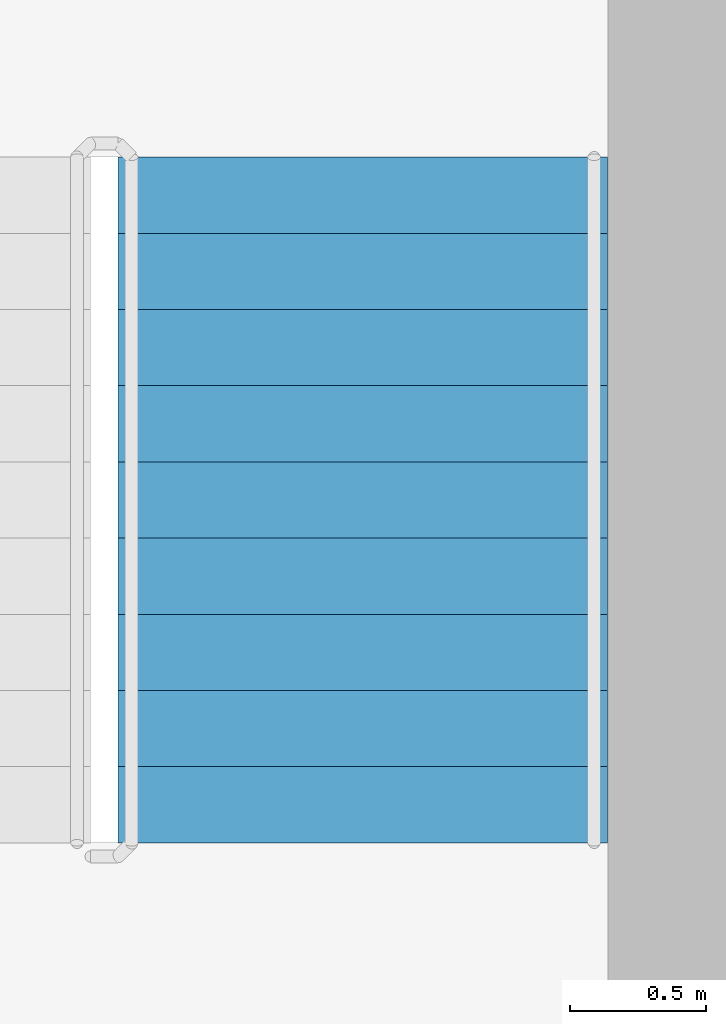
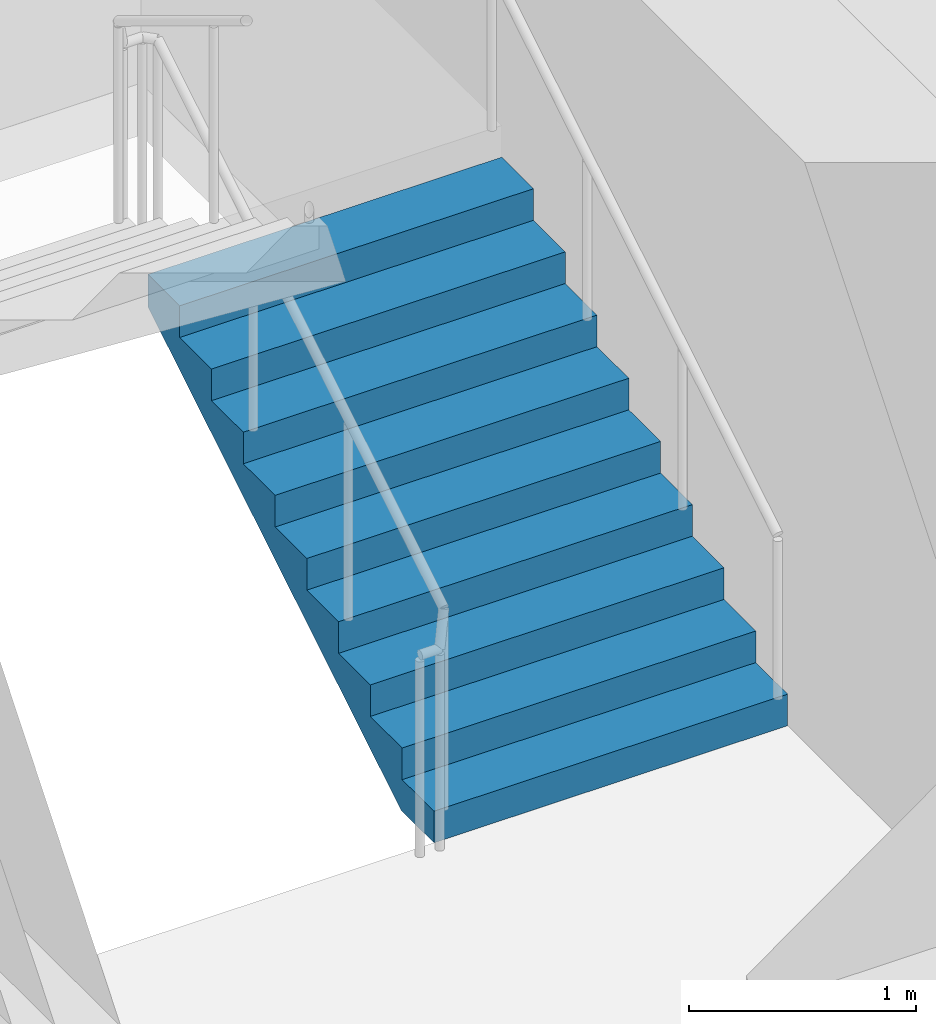
# One storey, part 12 of 21: 1 stair flight, 1 element without a shape of its own.
"""IFC4 building model written with IfcOpenShell, lengths in metres."""

from ifc_helpers import new_model, si_unit, direction, frame, origin, place, context, subcontext, project, spatial, triangles, source, transform, mapped, material, type_object, element, aggregate, save


model = new_model("IFC4")

# Units and contexts
model_context = context("Model", 3, precision=1e-05, world=origin(), true_north=direction((0.0, 1.0)))
body_context = subcontext(model_context, "Body", "Model", "MODEL_VIEW")
ifc_project = project(units=[si_unit("LENGTHUNIT", "METRE"), si_unit("AREAUNIT", "SQUARE_METRE"), si_unit("VOLUMEUNIT", "CUBIC_METRE"), si_unit("PLANEANGLEUNIT", "RADIAN"), si_unit("MASSUNIT", "GRAM", prefix="KILO")], contexts=[model_context])

# Site, building, storey
site_placement = place(None, origin())
site = spatial("IfcSite", under=ifc_project, at=site_placement, CompositionType="ELEMENT")
building_placement = place(site_placement, origin())
building = spatial("IfcBuilding", under=site, at=building_placement, Name="Kilnfold Tower and Market Hall", CompositionType="ELEMENT")
storey_placement = place(building_placement, frame((0.0, 0.0, 210.10009765625)))
storey = spatial("IfcBuildingStorey", under=building, at=storey_placement, Name="L51", CompositionType="ELEMENT", Elevation=210.10009765625)

# Stair, stair flight
ifc_material_1 = material(Name="Concrete C40/50", Category="concrete")
stair_type = type_object("IfcStairType", Name="CORE STAIR 1800", PredefinedType="HALF_TURN_STAIR", material=ifc_material_1)
stair_placement = place(storey_placement, origin())
stair = element("IfcStair", 1, at=stair_placement, inside=storey, type_object=stair_type, Name="L51 ST2", PredefinedType="HALF_TURN_STAIR")
ifc_material_2 = material(Name="Concrete C40/50", Category="concrete")
stair_flight_type = type_object("IfcStairFlightType", Name="CORE STAIR FLIGHT 1800", PredefinedType="STRAIGHT", material=ifc_material_2)
shared_shape = source(origin(), body_context, "Body", "Tessellation", [
    triangles([(0.0, 0.89990234375, 0.0), (0.0, 0.78759765625, 0.0), (0.0, 0.675048828125, 0.0), (0.0, 0.5625, 0.0), (0.0, 0.449951171875, 0.0), (0.0, 0.33740234375, 0.0), (0.0, 0.22509765625, 0.0), (0.0, 0.112548828125, 0.0), (0.0, 0.0, 0.0), (0.0, -0.112548828125, 0.0), (0.0, -0.22509765625, 0.0), (0.0, -0.33740234375, 0.0), (0.0, -0.449951171875, 0.0), (0.0, -0.5625, 0.0), (0.0, -0.675048828125, 0.0), (0.0, -0.78759765625, 0.0), (0.0, -0.89990234375, 0.0), (0.0, 0.89990234375, 0.169921875), (0.0, 0.78759765625, 0.169921875), (0.0, 0.675048828125, 0.169921875), (0.0, 0.5625, 0.169921875), (0.0, 0.449951171875, 0.169921875), (0.0, 0.33740234375, 0.169921875), (0.0, 0.22509765625, 0.169921875), (0.0, 0.112548828125, 0.169921875), (0.0, 0.0, 0.169921875), (0.0, -0.112548828125, 0.169921875), (0.0, -0.22509765625, 0.169921875), (0.0, -0.33740234375, 0.169921875), (0.0, -0.449951171875, 0.169921875), (0.0, -0.5625, 0.169921875), (0.0, -0.675048828125, 0.169921875), (0.0, -0.78759765625, 0.169921875), (0.0, -0.89990234375, 0.169921875), (0.280029296875, 0.89990234375, 0.169921875), (0.280029296875, 0.78759765625, 0.169921875), (0.280029296875, 0.675048828125, 0.169921875), (0.280029296875, 0.5625, 0.169921875), (0.280029296875, 0.449951171875, 0.169921875), (0.280029296875, 0.33740234375, 0.169921875), (0.280029296875, 0.22509765625, 0.169921875), (0.280029296875, 0.112548828125, 0.169921875), (0.280029296875, 0.0, 0.169921875), (0.280029296875, -0.112548828125, 0.169921875), (0.280029296875, -0.22509765625, 0.169921875), (0.280029296875, -0.33740234375, 0.169921875), (0.280029296875, -0.449951171875, 0.169921875), (0.280029296875, -0.5625, 0.169921875), (0.280029296875, -0.675048828125, 0.169921875), (0.280029296875, -0.78759765625, 0.169921875), (0.280029296875, -0.89990234375, 0.169921875), (0.280029296875, 0.89990234375, 0.340087890625), (0.280029296875, 0.78759765625, 0.340087890625), (0.280029296875, 0.675048828125, 0.340087890625), (0.280029296875, 0.5625, 0.340087890625), (0.280029296875, 0.449951171875, 0.340087890625), (0.280029296875, 0.33740234375, 0.340087890625), (0.280029296875, 0.22509765625, 0.340087890625), (0.280029296875, 0.112548828125, 0.340087890625), (0.280029296875, 0.0, 0.340087890625), (0.280029296875, -0.112548828125, 0.340087890625), (0.280029296875, -0.22509765625, 0.340087890625), (0.280029296875, -0.33740234375, 0.340087890625), (0.280029296875, -0.449951171875, 0.340087890625), (0.280029296875, -0.5625, 0.340087890625), (0.280029296875, -0.675048828125, 0.340087890625), (0.280029296875, -0.78759765625, 0.340087890625), (0.280029296875, -0.89990234375, 0.340087890625), (0.56005859375, 0.89990234375, 0.340087890625), (0.56005859375, 0.78759765625, 0.340087890625), (0.56005859375, 0.675048828125, 0.340087890625), (0.56005859375, 0.5625, 0.340087890625), (0.56005859375, 0.449951171875, 0.340087890625), (0.56005859375, 0.33740234375, 0.340087890625), (0.56005859375, 0.22509765625, 0.340087890625), (0.56005859375, 0.112548828125, 0.340087890625), (0.56005859375, 0.0, 0.340087890625), (0.56005859375, -0.112548828125, 0.340087890625), (0.56005859375, -0.22509765625, 0.340087890625), (0.56005859375, -0.33740234375, 0.340087890625), (0.56005859375, -0.449951171875, 0.340087890625), (0.56005859375, -0.5625, 0.340087890625), (0.56005859375, -0.675048828125, 0.340087890625), (0.56005859375, -0.78759765625, 0.340087890625), (0.56005859375, -0.89990234375, 0.340087890625), (0.56005859375, 0.89990234375, 0.510009765625), (0.56005859375, 0.78759765625, 0.510009765625), (0.56005859375, 0.675048828125, 0.510009765625), (0.56005859375, 0.5625, 0.510009765625), (0.56005859375, 0.449951171875, 0.510009765625), (0.56005859375, 0.33740234375, 0.510009765625), (0.56005859375, 0.22509765625, 0.510009765625), (0.56005859375, 0.112548828125, 0.510009765625), (0.56005859375, 0.0, 0.510009765625), (0.56005859375, -0.112548828125, 0.510009765625), (0.56005859375, -0.22509765625, 0.510009765625), (0.56005859375, -0.33740234375, 0.510009765625), (0.56005859375, -0.449951171875, 0.510009765625), (0.56005859375, -0.5625, 0.510009765625), (0.56005859375, -0.675048828125, 0.510009765625), (0.56005859375, -0.78759765625, 0.510009765625), (0.56005859375, -0.89990234375, 0.510009765625), (0.840087890625, 0.89990234375, 0.510009765625), (0.840087890625, 0.78759765625, 0.510009765625), (0.840087890625, 0.675048828125, 0.510009765625), (0.840087890625, 0.5625, 0.510009765625), (0.840087890625, 0.449951171875, 0.510009765625), (0.840087890625, 0.33740234375, 0.510009765625), (0.840087890625, 0.22509765625, 0.510009765625), (0.840087890625, 0.112548828125, 0.510009765625), (0.840087890625, 0.0, 0.510009765625), (0.840087890625, -0.112548828125, 0.510009765625), (0.840087890625, -0.22509765625, 0.510009765625), (0.840087890625, -0.33740234375, 0.510009765625), (0.840087890625, -0.449951171875, 0.510009765625), (0.840087890625, -0.5625, 0.510009765625), (0.840087890625, -0.675048828125, 0.510009765625), (0.840087890625, -0.78759765625, 0.510009765625), (0.840087890625, -0.89990234375, 0.510009765625), (0.840087890625, 0.89990234375, 0.679931640625), (0.840087890625, 0.78759765625, 0.679931640625), (0.840087890625, 0.675048828125, 0.679931640625), (0.840087890625, 0.5625, 0.679931640625), (0.840087890625, 0.449951171875, 0.679931640625), (0.840087890625, 0.33740234375, 0.679931640625), (0.840087890625, 0.22509765625, 0.679931640625), (0.840087890625, 0.112548828125, 0.679931640625), (0.840087890625, 0.0, 0.679931640625), (0.840087890625, -0.112548828125, 0.679931640625), (0.840087890625, -0.22509765625, 0.679931640625), (0.840087890625, -0.33740234375, 0.679931640625), (0.840087890625, -0.449951171875, 0.679931640625), (0.840087890625, -0.5625, 0.679931640625), (0.840087890625, -0.675048828125, 0.679931640625), (0.840087890625, -0.78759765625, 0.679931640625), (0.840087890625, -0.89990234375, 0.679931640625), (1.1201171875, 0.89990234375, 0.679931640625), (1.1201171875, 0.78759765625, 0.679931640625), (1.1201171875, 0.675048828125, 0.679931640625), (1.1201171875, 0.5625, 0.679931640625), (1.1201171875, 0.449951171875, 0.679931640625), (1.1201171875, 0.33740234375, 0.679931640625), (1.1201171875, 0.22509765625, 0.679931640625), (1.1201171875, 0.112548828125, 0.679931640625), (1.1201171875, 0.0, 0.679931640625), (1.1201171875, -0.112548828125, 0.679931640625), (1.1201171875, -0.22509765625, 0.679931640625), (1.1201171875, -0.33740234375, 0.679931640625), (1.1201171875, -0.449951171875, 0.679931640625), (1.1201171875, -0.5625, 0.679931640625), (1.1201171875, -0.675048828125, 0.679931640625), (1.1201171875, -0.78759765625, 0.679931640625), (1.1201171875, -0.89990234375, 0.679931640625), (1.1201171875, 0.89990234375, 0.85009765625), (1.1201171875, 0.78759765625, 0.85009765625), (1.1201171875, 0.675048828125, 0.85009765625), (1.1201171875, 0.5625, 0.85009765625), (1.1201171875, 0.449951171875, 0.85009765625), (1.1201171875, 0.33740234375, 0.85009765625), (1.1201171875, 0.22509765625, 0.85009765625), (1.1201171875, 0.112548828125, 0.85009765625), (1.1201171875, 0.0, 0.85009765625), (1.1201171875, -0.112548828125, 0.85009765625), (1.1201171875, -0.22509765625, 0.85009765625), (1.1201171875, -0.33740234375, 0.85009765625), (1.1201171875, -0.449951171875, 0.85009765625), (1.1201171875, -0.5625, 0.85009765625), (1.1201171875, -0.675048828125, 0.85009765625), (1.1201171875, -0.78759765625, 0.85009765625), (1.1201171875, -0.89990234375, 0.85009765625), (1.39990234375, 0.89990234375, 0.85009765625), (1.39990234375, 0.78759765625, 0.85009765625), (1.39990234375, 0.675048828125, 0.85009765625), (1.39990234375, 0.5625, 0.85009765625), (1.39990234375, 0.449951171875, 0.85009765625), (1.39990234375, 0.33740234375, 0.85009765625), (1.39990234375, 0.22509765625, 0.85009765625), (1.39990234375, 0.112548828125, 0.85009765625), (1.39990234375, 0.0, 0.85009765625), (1.39990234375, -0.112548828125, 0.85009765625), (1.39990234375, -0.22509765625, 0.85009765625), (1.39990234375, -0.33740234375, 0.85009765625), (1.39990234375, -0.449951171875, 0.85009765625), (1.39990234375, -0.5625, 0.85009765625), (1.39990234375, -0.675048828125, 0.85009765625), (1.39990234375, -0.78759765625, 0.85009765625), (1.39990234375, -0.89990234375, 0.85009765625), (1.39990234375, 0.89990234375, 1.02001953125), (1.39990234375, 0.78759765625, 1.02001953125), (1.39990234375, 0.675048828125, 1.02001953125), (1.39990234375, 0.5625, 1.02001953125), (1.39990234375, 0.449951171875, 1.02001953125), (1.39990234375, 0.33740234375, 1.02001953125), (1.39990234375, 0.22509765625, 1.02001953125), (1.39990234375, 0.112548828125, 1.02001953125), (1.39990234375, 0.0, 1.02001953125), (1.39990234375, -0.112548828125, 1.02001953125), (1.39990234375, -0.22509765625, 1.02001953125), (1.39990234375, -0.33740234375, 1.02001953125), (1.39990234375, -0.449951171875, 1.02001953125), (1.39990234375, -0.5625, 1.02001953125), (1.39990234375, -0.675048828125, 1.02001953125), (1.39990234375, -0.78759765625, 1.02001953125), (1.39990234375, -0.89990234375, 1.02001953125), (1.679931640625, 0.89990234375, 1.02001953125), (1.679931640625, 0.78759765625, 1.02001953125), (1.679931640625, 0.675048828125, 1.02001953125), (1.679931640625, 0.5625, 1.02001953125), (1.679931640625, 0.449951171875, 1.02001953125), (1.679931640625, 0.33740234375, 1.02001953125), (1.679931640625, 0.22509765625, 1.02001953125), (1.679931640625, 0.112548828125, 1.02001953125), (1.679931640625, 0.0, 1.02001953125), (1.679931640625, -0.112548828125, 1.02001953125), (1.679931640625, -0.22509765625, 1.02001953125), (1.679931640625, -0.33740234375, 1.02001953125), (1.679931640625, -0.449951171875, 1.02001953125), (1.679931640625, -0.5625, 1.02001953125), (1.679931640625, -0.675048828125, 1.02001953125), (1.679931640625, -0.78759765625, 1.02001953125), (1.679931640625, -0.89990234375, 1.02001953125), (1.679931640625, 0.89990234375, 1.18994140625), (1.679931640625, 0.78759765625, 1.18994140625), (1.679931640625, 0.675048828125, 1.18994140625), (1.679931640625, 0.5625, 1.18994140625), (1.679931640625, 0.449951171875, 1.18994140625), (1.679931640625, 0.33740234375, 1.18994140625), (1.679931640625, 0.22509765625, 1.18994140625), (1.679931640625, 0.112548828125, 1.18994140625), (1.679931640625, 0.0, 1.18994140625), (1.679931640625, -0.112548828125, 1.18994140625), (1.679931640625, -0.22509765625, 1.18994140625), (1.679931640625, -0.33740234375, 1.18994140625), (1.679931640625, -0.449951171875, 1.18994140625), (1.679931640625, -0.5625, 1.18994140625), (1.679931640625, -0.675048828125, 1.18994140625), (1.679931640625, -0.78759765625, 1.18994140625), (1.679931640625, -0.89990234375, 1.18994140625), (1.9599609375, 0.89990234375, 1.18994140625), (1.9599609375, 0.78759765625, 1.18994140625), (1.9599609375, 0.675048828125, 1.18994140625), (1.9599609375, 0.5625, 1.18994140625), (1.9599609375, 0.449951171875, 1.18994140625), (1.9599609375, 0.33740234375, 1.18994140625), (1.9599609375, 0.22509765625, 1.18994140625), (1.9599609375, 0.112548828125, 1.18994140625), (1.9599609375, 0.0, 1.18994140625), (1.9599609375, -0.112548828125, 1.18994140625), (1.9599609375, -0.22509765625, 1.18994140625), (1.9599609375, -0.33740234375, 1.18994140625), (1.9599609375, -0.449951171875, 1.18994140625), (1.9599609375, -0.5625, 1.18994140625), (1.9599609375, -0.675048828125, 1.18994140625), (1.9599609375, -0.78759765625, 1.18994140625), (1.9599609375, -0.89990234375, 1.18994140625), (1.9599609375, 0.89990234375, 1.360107421875), (1.9599609375, 0.78759765625, 1.360107421875), (1.9599609375, 0.675048828125, 1.360107421875), (1.9599609375, 0.5625, 1.360107421875), (1.9599609375, 0.449951171875, 1.360107421875), (1.9599609375, 0.33740234375, 1.360107421875), (1.9599609375, 0.22509765625, 1.360107421875), (1.9599609375, 0.112548828125, 1.360107421875), (1.9599609375, 0.0, 1.360107421875), (1.9599609375, -0.112548828125, 1.360107421875), (1.9599609375, -0.22509765625, 1.360107421875), (1.9599609375, -0.33740234375, 1.360107421875), (1.9599609375, -0.449951171875, 1.360107421875), (1.9599609375, -0.5625, 1.360107421875), (1.9599609375, -0.675048828125, 1.360107421875), (1.9599609375, -0.78759765625, 1.360107421875), (1.9599609375, -0.89990234375, 1.360107421875), (2.239990234375, 0.89990234375, 1.360107421875), (2.239990234375, 0.78759765625, 1.360107421875), (2.239990234375, 0.675048828125, 1.360107421875), (2.239990234375, 0.5625, 1.360107421875), (2.239990234375, 0.449951171875, 1.360107421875), (2.239990234375, 0.33740234375, 1.360107421875), (2.239990234375, 0.22509765625, 1.360107421875), (2.239990234375, 0.112548828125, 1.360107421875), (2.239990234375, 0.0, 1.360107421875), (2.239990234375, -0.112548828125, 1.360107421875), (2.239990234375, -0.22509765625, 1.360107421875), (2.239990234375, -0.33740234375, 1.360107421875), (2.239990234375, -0.449951171875, 1.360107421875), (2.239990234375, -0.5625, 1.360107421875), (2.239990234375, -0.675048828125, 1.360107421875), (2.239990234375, -0.78759765625, 1.360107421875), (2.239990234375, -0.89990234375, 1.360107421875), (2.239990234375, 0.89990234375, 1.530029296875), (2.239990234375, 0.78759765625, 1.530029296875), (2.239990234375, 0.675048828125, 1.530029296875), (2.239990234375, 0.5625, 1.530029296875), (2.239990234375, 0.449951171875, 1.530029296875), (2.239990234375, 0.33740234375, 1.530029296875), (2.239990234375, 0.22509765625, 1.530029296875), (2.239990234375, 0.112548828125, 1.530029296875), (2.239990234375, 0.0, 1.530029296875), (2.239990234375, -0.112548828125, 1.530029296875), (2.239990234375, -0.22509765625, 1.530029296875), (2.239990234375, -0.33740234375, 1.530029296875), (2.239990234375, -0.449951171875, 1.530029296875), (2.239990234375, -0.5625, 1.530029296875), (2.239990234375, -0.675048828125, 1.530029296875), (2.239990234375, -0.78759765625, 1.530029296875), (2.239990234375, -0.89990234375, 1.530029296875), (2.52001953125, 0.89990234375, 1.530029296875), (2.52001953125, 0.78759765625, 1.530029296875), (2.52001953125, 0.675048828125, 1.530029296875), (2.52001953125, 0.5625, 1.530029296875), (2.52001953125, 0.449951171875, 1.530029296875), (2.52001953125, 0.33740234375, 1.530029296875), (2.52001953125, 0.22509765625, 1.530029296875), (2.52001953125, 0.112548828125, 1.530029296875), (2.52001953125, 0.0, 1.530029296875), (2.52001953125, -0.112548828125, 1.530029296875), (2.52001953125, -0.22509765625, 1.530029296875), (2.52001953125, -0.33740234375, 1.530029296875), (2.52001953125, -0.449951171875, 1.530029296875), (2.52001953125, -0.5625, 1.530029296875), (2.52001953125, -0.675048828125, 1.530029296875), (2.52001953125, -0.78759765625, 1.530029296875), (2.52001953125, -0.89990234375, 1.530029296875), (2.52001953125, 0.89990234375, 1.354736328125), (2.52001953125, 0.78759765625, 1.354736328125), (2.52001953125, 0.675048828125, 1.354736328125), (2.52001953125, 0.5625, 1.354736328125), (2.52001953125, 0.449951171875, 1.354736328125), (2.52001953125, 0.33740234375, 1.354736328125), (2.52001953125, 0.22509765625, 1.354736328125), (2.52001953125, 0.112548828125, 1.354736328125), (2.52001953125, 0.0, 1.354736328125), (2.52001953125, -0.112548828125, 1.354736328125), (2.52001953125, -0.22509765625, 1.354736328125), (2.52001953125, -0.33740234375, 1.354736328125), (2.52001953125, -0.449951171875, 1.354736328125), (2.52001953125, -0.5625, 1.354736328125), (2.52001953125, -0.675048828125, 1.354736328125), (2.52001953125, -0.78759765625, 1.354736328125), (2.52001953125, -0.89990234375, 1.354736328125), (0.288818359375, 0.89990234375, 0.0), (0.288818359375, 0.78759765625, 0.0), (0.288818359375, 0.675048828125, 0.0), (0.288818359375, 0.5625, 0.0), (0.288818359375, 0.449951171875, 0.0), (0.288818359375, 0.33740234375, 0.0), (0.288818359375, 0.22509765625, 0.0), (0.288818359375, 0.112548828125, 0.0), (0.288818359375, 0.0, 0.0), (0.288818359375, -0.112548828125, 0.0), (0.288818359375, -0.22509765625, 0.0), (0.288818359375, -0.33740234375, 0.0), (0.288818359375, -0.449951171875, 0.0), (0.288818359375, -0.5625, 0.0), (0.288818359375, -0.675048828125, 0.0), (0.288818359375, -0.78759765625, 0.0), (0.288818359375, -0.89990234375, 0.0)], [[1, 324, 341], [17, 357, 340], [324, 290, 307], [340, 323, 306], [324, 273, 290], [340, 306, 289], [324, 256, 273], [340, 289, 272], [324, 239, 256], [340, 272, 255], [239, 205, 222], [255, 238, 221], [324, 205, 239], [340, 255, 221], [205, 171, 188], [221, 204, 187], [324, 171, 205], [340, 221, 187], [171, 137, 154], [187, 170, 153], [324, 137, 171], [340, 187, 153], [137, 103, 120], [153, 136, 119], [324, 103, 137], [340, 153, 119], [103, 69, 86], [119, 102, 85], [324, 69, 103], [340, 119, 85], [69, 35, 52], [85, 68, 51], [324, 35, 69], [340, 85, 51], [1, 35, 324], [17, 340, 51], [35, 1, 18], [51, 34, 17], [1, 19, 18], [1, 2, 19], [2, 20, 19], [2, 3, 20], [3, 21, 20], [3, 4, 21], [4, 22, 21], [4, 5, 22], [5, 23, 22], [5, 6, 23], [6, 24, 23], [6, 7, 24], [7, 25, 24], [7, 8, 25], [8, 26, 25], [8, 9, 26], [9, 27, 26], [9, 10, 27], [10, 28, 27], [10, 11, 28], [11, 29, 28], [11, 12, 29], [12, 30, 29], [12, 13, 30], [13, 31, 30], [13, 14, 31], [14, 32, 31], [14, 15, 32], [15, 33, 32], [15, 16, 33], [16, 34, 33], [16, 17, 34], [18, 36, 35], [18, 19, 36], [19, 37, 36], [19, 20, 37], [20, 38, 37], [20, 21, 38], [21, 39, 38], [21, 22, 39], [22, 40, 39], [22, 23, 40], [23, 41, 40], [23, 24, 41], [24, 42, 41], [24, 25, 42], [25, 43, 42], [25, 26, 43], [26, 44, 43], [26, 27, 44], [27, 45, 44], [27, 28, 45], [28, 46, 45], [28, 29, 46], [29, 47, 46], [29, 30, 47], [30, 48, 47], [30, 31, 48], [31, 49, 48], [31, 32, 49], [32, 50, 49], [32, 33, 50], [33, 51, 50], [33, 34, 51], [35, 53, 52], [35, 36, 53], [36, 54, 53], [36, 37, 54], [37, 55, 54], [37, 38, 55], [38, 56, 55], [38, 39, 56], [39, 57, 56], [39, 40, 57], [40, 58, 57], [40, 41, 58], [41, 59, 58], [41, 42, 59], [42, 60, 59], [42, 43, 60], [43, 61, 60], [43, 44, 61], [44, 62, 61], [44, 45, 62], [45, 63, 62], [45, 46, 63], [46, 64, 63], [46, 47, 64], [47, 65, 64], [47, 48, 65], [48, 66, 65], [48, 49, 66], [49, 67, 66], [49, 50, 67], [50, 68, 67], [50, 51, 68], [52, 70, 69], [52, 53, 70], [53, 71, 70], [53, 54, 71], [54, 72, 71], [54, 55, 72], [55, 73, 72], [55, 56, 73], [56, 74, 73], [56, 57, 74], [57, 75, 74], [57, 58, 75], [58, 76, 75], [58, 59, 76], [59, 77, 76], [59, 60, 77], [60, 78, 77], [60, 61, 78], [61, 79, 78], [61, 62, 79], [62, 80, 79], [62, 63, 80], [63, 81, 80], [63, 64, 81], [64, 82, 81], [64, 65, 82], [65, 83, 82], [65, 66, 83], [66, 84, 83], [66, 67, 84], [67, 85, 84], [67, 68, 85], [69, 87, 86], [69, 70, 87], [70, 88, 87], [70, 71, 88], [71, 89, 88], [71, 72, 89], [72, 90, 89], [72, 73, 90], [73, 91, 90], [73, 74, 91], [74, 92, 91], [74, 75, 92], [75, 93, 92], [75, 76, 93], [76, 94, 93], [76, 77, 94], [77, 95, 94], [77, 78, 95], [78, 96, 95], [78, 79, 96], [79, 97, 96], [79, 80, 97], [80, 98, 97], [80, 81, 98], [81, 99, 98], [81, 82, 99], [82, 100, 99], [82, 83, 100], [83, 101, 100], [83, 84, 101], [84, 102, 101], [84, 85, 102], [86, 104, 103], [86, 87, 104], [87, 105, 104], [87, 88, 105], [88, 106, 105], [88, 89, 106], [89, 107, 106], [89, 90, 107], [90, 108, 107], [90, 91, 108], [91, 109, 108], [91, 92, 109], [92, 110, 109], [92, 93, 110], [93, 111, 110], [93, 94, 111], [94, 112, 111], [94, 95, 112], [95, 113, 112], [95, 96, 113], [96, 114, 113], [96, 97, 114], [97, 115, 114], [97, 98, 115], [98, 116, 115], [98, 99, 116], [99, 117, 116], [99, 100, 117], [100, 118, 117], [100, 101, 118], [101, 119, 118], [101, 102, 119], [103, 121, 120], [103, 104, 121], [104, 122, 121], [104, 105, 122], [105, 123, 122], [105, 106, 123], [106, 124, 123], [106, 107, 124], [107, 125, 124], [107, 108, 125], [108, 126, 125], [108, 109, 126], [109, 127, 126], [109, 110, 127], [110, 128, 127], [110, 111, 128], [111, 129, 128], [111, 112, 129], [112, 130, 129], [112, 113, 130], [113, 131, 130], [113, 114, 131], [114, 132, 131], [114, 115, 132], [115, 133, 132], [115, 116, 133], [116, 134, 133], [116, 117, 134], [117, 135, 134], [117, 118, 135], [118, 136, 135], [118, 119, 136], [120, 138, 137], [120, 121, 138], [121, 139, 138], [121, 122, 139], [122, 140, 139], [122, 123, 140], [123, 141, 140], [123, 124, 141], [124, 142, 141], [124, 125, 142], [125, 143, 142], [125, 126, 143], [126, 144, 143], [126, 127, 144], [127, 145, 144], [127, 128, 145], [128, 146, 145], [128, 129, 146], [129, 147, 146], [129, 130, 147], [130, 148, 147], [130, 131, 148], [131, 149, 148], [131, 132, 149], [132, 150, 149], [132, 133, 150], [133, 151, 150], [133, 134, 151], [134, 152, 151], [134, 135, 152], [135, 153, 152], [135, 136, 153], [137, 155, 154], [137, 138, 155], [138, 156, 155], [138, 139, 156], [139, 157, 156], [139, 140, 157], [140, 158, 157], [140, 141, 158], [141, 159, 158], [141, 142, 159], [142, 160, 159], [142, 143, 160], [143, 161, 160], [143, 144, 161], [144, 162, 161], [144, 145, 162], [145, 163, 162], [145, 146, 163], [146, 164, 163], [146, 147, 164], [147, 165, 164], [147, 148, 165], [148, 166, 165], [148, 149, 166], [149, 167, 166], [149, 150, 167], [150, 168, 167], [150, 151, 168], [151, 169, 168], [151, 152, 169], [152, 170, 169], [152, 153, 170], [154, 172, 171], [154, 155, 172], [155, 173, 172], [155, 156, 173], [156, 174, 173], [156, 157, 174], [157, 175, 174], [157, 158, 175], [158, 176, 175], [158, 159, 176], [159, 177, 176], [159, 160, 177], [160, 178, 177], [160, 161, 178], [161, 179, 178], [161, 162, 179], [162, 180, 179], [162, 163, 180], [163, 181, 180], [163, 164, 181], [164, 182, 181], [164, 165, 182], [165, 183, 182], [165, 166, 183], [166, 184, 183], [166, 167, 184], [167, 185, 184], [167, 168, 185], [168, 186, 185], [168, 169, 186], [169, 187, 186], [169, 170, 187], [171, 189, 188], [171, 172, 189], [172, 190, 189], [172, 173, 190], [173, 191, 190], [173, 174, 191], [174, 192, 191], [174, 175, 192], [175, 193, 192], [175, 176, 193], [176, 194, 193], [176, 177, 194], [177, 195, 194], [177, 178, 195], [178, 196, 195], [178, 179, 196], [179, 197, 196], [179, 180, 197], [180, 198, 197], [180, 181, 198], [181, 199, 198], [181, 182, 199], [182, 200, 199], [182, 183, 200], [183, 201, 200], [183, 184, 201], [184, 202, 201], [184, 185, 202], [185, 203, 202], [185, 186, 203], [186, 204, 203], [186, 187, 204], [188, 206, 205], [188, 189, 206], [189, 207, 206], [189, 190, 207], [190, 208, 207], [190, 191, 208], [191, 209, 208], [191, 192, 209], [192, 210, 209], [192, 193, 210], [193, 211, 210], [193, 194, 211], [194, 212, 211], [194, 195, 212], [195, 213, 212], [195, 196, 213], [196, 214, 213], [196, 197, 214], [197, 215, 214], [197, 198, 215], [198, 216, 215], [198, 199, 216], [199, 217, 216], [199, 200, 217], [200, 218, 217], [200, 201, 218], [201, 219, 218], [201, 202, 219], [202, 220, 219], [202, 203, 220], [203, 221, 220], [203, 204, 221], [205, 223, 222], [205, 206, 223], [206, 224, 223], [206, 207, 224], [207, 225, 224], [207, 208, 225], [208, 226, 225], [208, 209, 226], [209, 227, 226], [209, 210, 227], [210, 228, 227], [210, 211, 228], [211, 229, 228], [211, 212, 229], [212, 230, 229], [212, 213, 230], [213, 231, 230], [213, 214, 231], [214, 232, 231], [214, 215, 232], [215, 233, 232], [215, 216, 233], [216, 234, 233], [216, 217, 234], [217, 235, 234], [217, 218, 235], [218, 236, 235], [218, 219, 236], [219, 237, 236], [219, 220, 237], [220, 238, 237], [220, 221, 238], [222, 240, 239], [222, 223, 240], [223, 241, 240], [223, 224, 241], [224, 242, 241], [224, 225, 242], [225, 243, 242], [225, 226, 243], [226, 244, 243], [226, 227, 244], [227, 245, 244], [227, 228, 245], [228, 246, 245], [228, 229, 246], [229, 247, 246], [229, 230, 247], [230, 248, 247], [230, 231, 248], [231, 249, 248], [231, 232, 249], [232, 250, 249], [232, 233, 250], [233, 251, 250], [233, 234, 251], [234, 252, 251], [234, 235, 252], [235, 253, 252], [235, 236, 253], [236, 254, 253], [236, 237, 254], [237, 255, 254], [237, 238, 255], [239, 257, 256], [239, 240, 257], [240, 258, 257], [240, 241, 258], [241, 259, 258], [241, 242, 259], [242, 260, 259], [242, 243, 260], [243, 261, 260], [243, 244, 261], [244, 262, 261], [244, 245, 262], [245, 263, 262], [245, 246, 263], [246, 264, 263], [246, 247, 264], [247, 265, 264], [247, 248, 265], [248, 266, 265], [248, 249, 266], [249, 267, 266], [249, 250, 267], [250, 268, 267], [250, 251, 268], [251, 269, 268], [251, 252, 269], [252, 270, 269], [252, 253, 270], [253, 271, 270], [253, 254, 271], [254, 272, 271], [254, 255, 272], [256, 274, 273], [256, 257, 274], [257, 275, 274], [257, 258, 275], [258, 276, 275], [258, 259, 276], [259, 277, 276], [259, 260, 277], [260, 278, 277], [260, 261, 278], [261, 279, 278], [261, 262, 279], [262, 280, 279], [262, 263, 280], [263, 281, 280], [263, 264, 281], [264, 282, 281], [264, 265, 282], [265, 283, 282], [265, 266, 283], [266, 284, 283], [266, 267, 284], [267, 285, 284], [267, 268, 285], [268, 286, 285], [268, 269, 286], [269, 287, 286], [269, 270, 287], [270, 288, 287], [270, 271, 288], [271, 289, 288], [271, 272, 289], [273, 291, 290], [273, 274, 291], [274, 292, 291], [274, 275, 292], [275, 293, 292], [275, 276, 293], [276, 294, 293], [276, 277, 294], [277, 295, 294], [277, 278, 295], [278, 296, 295], [278, 279, 296], [279, 297, 296], [279, 280, 297], [280, 298, 297], [280, 281, 298], [281, 299, 298], [281, 282, 299], [282, 300, 299], [282, 283, 300], [283, 301, 300], [283, 284, 301], [284, 302, 301], [284, 285, 302], [285, 303, 302], [285, 286, 303], [286, 304, 303], [286, 287, 304], [287, 305, 304], [287, 288, 305], [288, 306, 305], [288, 289, 306], [290, 308, 307], [290, 291, 308], [291, 309, 308], [291, 292, 309], [292, 310, 309], [292, 293, 310], [293, 311, 310], [293, 294, 311], [294, 312, 311], [294, 295, 312], [295, 313, 312], [295, 296, 313], [296, 314, 313], [296, 297, 314], [297, 315, 314], [297, 298, 315], [298, 316, 315], [298, 299, 316], [299, 317, 316], [299, 300, 317], [300, 318, 317], [300, 301, 318], [301, 319, 318], [301, 302, 319], [302, 320, 319], [302, 303, 320], [303, 321, 320], [303, 304, 321], [304, 322, 321], [304, 305, 322], [305, 323, 322], [305, 306, 323], [307, 325, 324], [307, 308, 325], [308, 326, 325], [308, 309, 326], [309, 327, 326], [309, 310, 327], [310, 328, 327], [310, 311, 328], [311, 329, 328], [311, 312, 329], [312, 330, 329], [312, 313, 330], [313, 331, 330], [313, 314, 331], [314, 332, 331], [314, 315, 332], [315, 333, 332], [315, 316, 333], [316, 334, 333], [316, 317, 334], [317, 335, 334], [317, 318, 335], [318, 336, 335], [318, 319, 336], [319, 337, 336], [319, 320, 337], [320, 338, 337], [320, 321, 338], [321, 339, 338], [321, 322, 339], [322, 340, 339], [322, 323, 340], [324, 342, 341], [324, 325, 342], [325, 343, 342], [325, 326, 343], [326, 344, 343], [326, 327, 344], [327, 345, 344], [327, 328, 345], [328, 346, 345], [328, 329, 346], [329, 347, 346], [329, 330, 347], [330, 348, 347], [330, 331, 348], [331, 349, 348], [331, 332, 349], [332, 350, 349], [332, 333, 350], [333, 351, 350], [333, 334, 351], [334, 352, 351], [334, 335, 352], [335, 353, 352], [335, 336, 353], [336, 354, 353], [336, 337, 354], [337, 355, 354], [337, 338, 355], [338, 356, 355], [338, 339, 356], [339, 357, 356], [339, 340, 357], [341, 2, 1], [341, 342, 2], [342, 3, 2], [342, 343, 3], [343, 4, 3], [343, 344, 4], [344, 5, 4], [344, 345, 5], [345, 6, 5], [345, 346, 6], [346, 7, 6], [346, 347, 7], [347, 8, 7], [347, 348, 8], [348, 9, 8], [348, 349, 9], [349, 10, 9], [349, 350, 10], [350, 11, 10], [350, 351, 11], [351, 12, 11], [351, 352, 12], [352, 13, 12], [352, 353, 13], [353, 14, 13], [353, 354, 14], [354, 15, 14], [354, 355, 15], [355, 16, 15], [355, 356, 16], [356, 17, 16], [356, 357, 17]], closed=True),
])
stair_flight_placement = place(storey_placement, frame((16.199951171875, 10.800048828125, 0.0), z_axis=(0.0, 0.0, 1.0), x_axis=(0.0, 1.0, 0.0)))
stair_flight = element("IfcStairFlight", 2, at=stair_flight_placement, type_object=stair_flight_type, Name="ST2 flight 1", NumberOfRisers=10, NumberOfTreads=9, PredefinedType="STRAIGHT", RiserHeight=0.17, TreadLength=0.28, context=body_context, shape_type="MappedRepresentation", body=[
    mapped(shared_shape, transform((0.0, 0.0, 0.0))),
])
aggregate(stair, [stair_flight])

save(model, "model.ifc")
